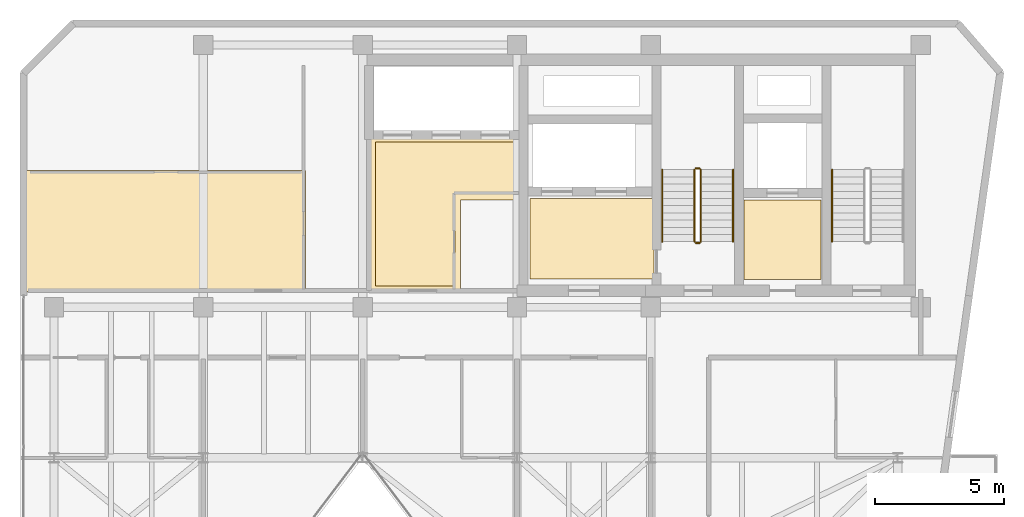
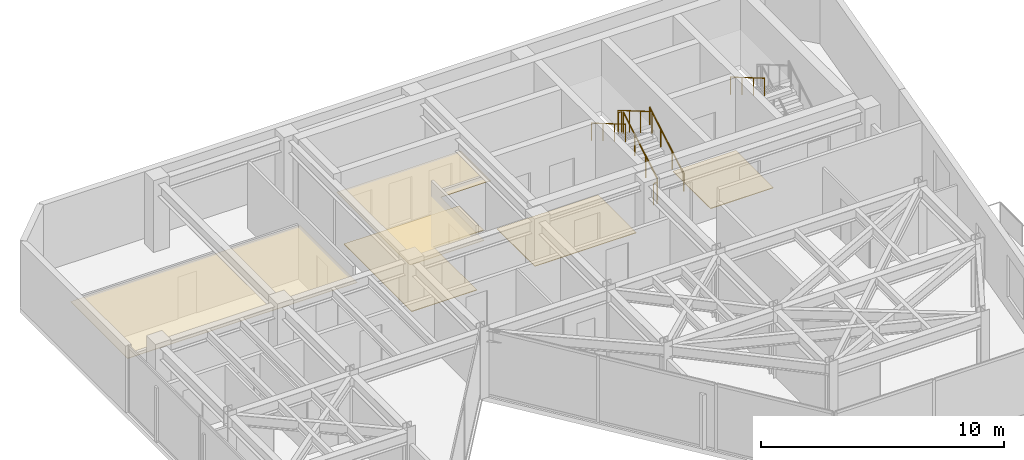
# One storey, part 16 of 17: 7 railings, 5 coverings.
"""IFC4 building model written with IfcOpenShell, lengths in metres."""

from ifc_helpers import new_model, si_unit, direction, frame, origin, origin_2d, place, context, subcontext, project, spatial, polyline, circle, outline, extrude, material, layer, layer_set, type_object, element, save


model = new_model("IFC4")

# Units and contexts
model_context = context("Model", 3, precision=1e-05, world=origin(), true_north=direction((0.0, 1.0)))
body_context = subcontext(model_context, "Body", "Model", "MODEL_VIEW")
ifc_project = project(units=[si_unit("LENGTHUNIT", "METRE"), si_unit("AREAUNIT", "SQUARE_METRE"), si_unit("VOLUMEUNIT", "CUBIC_METRE"), si_unit("PLANEANGLEUNIT", "RADIAN"), si_unit("MASSUNIT", "GRAM", prefix="KILO")], contexts=[model_context])

# Site, building, storey
site_placement = place(None, origin())
site = spatial("IfcSite", under=ifc_project, at=site_placement, CompositionType="ELEMENT")
building_placement = place(site_placement, origin())
building = spatial("IfcBuilding", under=site, at=building_placement, Name="Kravanh Interchange Tower", CompositionType="ELEMENT")
storey_placement = place(building_placement, frame((0.0, 0.0, 293.10009765625)))
storey = spatial("IfcBuildingStorey", under=building, at=storey_placement, Name="L72", CompositionType="ELEMENT", Elevation=293.10009765625)

# Coverings
ifc_material_1 = material(Name="Cementitious Terrazzo Tile")
ifc_layer_1 = layer(ifc_material_1, 0.030029296875)
ifc_layer_set_1 = layer_set([ifc_layer_1], Name="Honed Terrazzo Lobby Flooring 30mm")
covering_type_1 = type_object("IfcCoveringType", Name="Honed Terrazzo Lobby Flooring 30mm", PredefinedType="FLOORING", material=ifc_layer_set_1)
covering_1_placement = place(storey_placement, origin())
element("IfcCovering", 1, at=covering_1_placement, inside=storey, type_object=covering_type_1, Name="L72 Service Lift Lobby Floor Finish", PredefinedType="FLOORING", context=body_context, shape_type="SweptSolid", body=[
    extrude(outline(polyline([(59.6298828125, 41.52001953125), (62.6201171875, 41.52001953125), (62.6201171875, 38.429931640625), (59.6298828125, 38.429931640625), (59.6298828125, 41.52001953125)])), origin(), (0.0, 0.0, 1.0), 0.02978515625),
])
covering_2_placement = place(storey_placement, origin())
element("IfcCovering", 2, at=covering_2_placement, inside=storey, type_object=covering_type_1, Name="L72 Firefighting Lobby Floor Finish", PredefinedType="FLOORING", context=body_context, shape_type="SweptSolid", body=[
    extrude(outline(polyline([(56.1201171875, 38.4599609375), (51.300048828125, 38.4599609375), (51.300048828125, 41.580078125), (56.1201171875, 41.580078125), (56.1201171875, 38.4599609375)])), origin(), (0.0, 0.0, 1.0), 0.02978515625),
])
covering_3_placement = place(storey_placement, origin())
element("IfcCovering", 3, at=covering_3_placement, inside=storey, type_object=covering_type_1, Name="L72 High-Rise Lift Lobby Floor Finish", PredefinedType="FLOORING", context=body_context, shape_type="SweptSolid", body=[
    extrude(outline(polyline([(45.300048828125, 43.77001953125), (50.77001953125, 43.77001953125), (50.77001953125, 41.75), (48.389892578125, 41.75), (48.389892578125, 38.179931640625), (45.300048828125, 38.179931640625), (45.300048828125, 43.77001953125)])), origin(), (0.0, 0.0, 1.0), 0.02978515625),
])
ifc_material_2 = material(Name="Acoustic Mineral Fibre Tile on Aluminium Grid", Category="aluminium")
ifc_layer_2 = layer(ifc_material_2, 0.02490234375)
ifc_layer_set_2 = layer_set([ifc_layer_2], Name="Perforated Acoustic Mineral Ceiling 25mm")
covering_type_2 = type_object("IfcCoveringType", Name="Perforated Acoustic Mineral Ceiling 25mm", PredefinedType="CEILING", material=ifc_layer_set_2)
covering_4_placement = place(storey_placement, frame((0.0, 0.0, 2.5498046875)))
element("IfcCovering", 4, at=covering_4_placement, inside=storey, type_object=covering_type_2, Name="L72 High-Rise Lift Lobby Suspended Ceiling", PredefinedType="CEILING", context=body_context, shape_type="SweptSolid", body=[
    extrude(outline(polyline([(50.989990234375, 41.530029296875), (48.610107421875, 41.530029296875), (48.610107421875, 37.9599609375), (45.080078125, 37.9599609375), (45.080078125, 43.989990234375), (50.989990234375, 43.989990234375), (50.989990234375, 41.530029296875)])), origin(), (0.0, 0.0, 1.0), 0.025146484375),
])
covering_5_placement = place(storey_placement, frame((0.0, 0.0, 2.5498046875)))
element("IfcCovering", 5, at=covering_5_placement, inside=storey, type_object=covering_type_2, Name="L72 Executive Business Study Suspended Ceiling", PredefinedType="CEILING", context=body_context, shape_type="SweptSolid", body=[
    extrude(outline(polyline([(42.580078125, 37.9599609375), (31.679931640625, 37.9599609375), (31.679931640625, 42.659912109375), (42.580078125, 42.659912109375), (42.580078125, 37.9599609375)])), origin(), (0.0, 0.0, 1.0), 0.025146484375),
])

# Railings
ifc_material_3 = material(Name="Structural Steel S355", Category="steel")
ifc_layer_3 = layer(ifc_material_3, 0.050048828125)
ifc_layer_set_3 = layer_set([ifc_layer_3], Name="Stair Well Guardrail Structural Steel S355 1100mm")
railing_type_1 = type_object("IfcRailingType", Name="Stair Well Guardrail Structural Steel S355 1100mm", PredefinedType="GUARDRAIL", material=ifc_layer_set_3)
railing_1_placement = place(storey_placement, frame((57.949951171875, 39.89990234375, 0.16357421875)))
element("IfcRailing", 6, at=railing_1_placement, inside=storey, type_object=railing_type_1, Name="L72 ST2 stair guard 1", PredefinedType="GUARDRAIL", context=body_context, shape_type="SweptSolid", body=[
    extrude(circle(Radius=0.02392578125, at=origin_2d()), frame((0.0, 0.0, 1.076171875), z_axis=(0.0, 0.863393664356, 0.504530851732), x_axis=(-1.0, 0.0, 0.0)), (0.0, 0.0, 1.0), 3.2431640625),
    extrude(circle(Radius=0.02099609375, at=origin_2d()), origin(), (0.0, 0.0, 1.0), 1.052001953125),
    extrude(circle(Radius=0.02099609375, at=origin_2d()), frame((0.0, 0.933349609375, 0.54541015625)), (0.0, 0.0, 1.0), 1.052001953125),
    extrude(circle(Radius=0.02099609375, at=origin_2d()), frame((0.0, 1.86669921875, 1.0908203125)), (0.0, 0.0, 1.0), 1.052001953125),
    extrude(circle(Radius=0.02099609375, at=origin_2d()), frame((0.0, 2.800048828125, 1.63623046875)), (0.0, 0.0, 1.0), 1.052001953125),
])
railing_2_placement = place(storey_placement, frame((57.89990234375, 42.75, 1.7998046875)))
element("IfcRailing", 7, at=railing_2_placement, inside=storey, type_object=railing_type_1, Name="L72 ST2 stair guard 2", PredefinedType="GUARDRAIL", context=body_context, shape_type="SweptSolid", body=[
    extrude(circle(Radius=0.02392578125, at=origin_2d()), frame((0.0, 0.0, 1.076171875), z_axis=(-1.0, 0.0, 0.0), x_axis=(0.0, -1.0, 0.0)), (0.0, 0.0, 1.0), 0.14990234375),
    extrude(circle(Radius=0.02099609375, at=origin_2d()), origin(), (0.0, 0.0, 1.0), 1.052001953125),
    extrude(circle(Radius=0.02099609375, at=origin_2d()), frame((-0.14990234375, 0.0, 0.0)), (0.0, 0.0, 1.0), 1.052001953125),
])
railing_3_placement = place(storey_placement, frame((57.699951171875, 42.699951171875, 1.963623046875)))
element("IfcRailing", 8, at=railing_3_placement, inside=storey, type_object=railing_type_1, Name="L72 ST2 stair guard 3", PredefinedType="GUARDRAIL", context=body_context, shape_type="SweptSolid", body=[
    extrude(circle(Radius=0.02392578125, at=origin_2d()), frame((0.0, 0.0, 1.076171875), z_axis=(0.0, -0.863393664356, 0.504530851732), x_axis=(1.0, 0.0, 0.0)), (0.0, 0.0, 1.0), 3.2431640625),
    extrude(circle(Radius=0.02099609375, at=origin_2d()), origin(), (0.0, 0.0, 1.0), 1.052001953125),
    extrude(circle(Radius=0.02099609375, at=origin_2d()), frame((0.0, -0.933349609375, 0.54541015625)), (0.0, 0.0, 1.0), 1.052001953125),
    extrude(circle(Radius=0.02099609375, at=origin_2d()), frame((0.0, -1.86669921875, 1.0908203125)), (0.0, 0.0, 1.0), 1.052001953125),
    extrude(circle(Radius=0.02099609375, at=origin_2d()), frame((0.0, -2.800048828125, 1.63623046875)), (0.0, 0.0, 1.0), 1.052001953125),
])
railing_4_placement = place(storey_placement, frame((57.89990234375, 39.85009765625, 0.0)))
element("IfcRailing", 9, at=railing_4_placement, inside=storey, type_object=railing_type_1, Name="L72 ST2 stair guard 4", PredefinedType="GUARDRAIL", context=body_context, shape_type="SweptSolid", body=[
    extrude(circle(Radius=0.02392578125, at=origin_2d()), frame((0.0, 0.0, 1.076171875), z_axis=(-1.0, 0.0, 0.0), x_axis=(0.0, -1.0, 0.0)), (0.0, 0.0, 1.0), 0.14990234375),
    extrude(circle(Radius=0.02099609375, at=origin_2d()), origin(), (0.0, 0.0, 1.0), 1.052001953125),
    extrude(circle(Radius=0.02099609375, at=origin_2d()), frame((-0.14990234375, 0.0, 0.0)), (0.0, 0.0, 1.0), 1.052001953125),
])
ifc_material_4 = material(Name="Stainless Steel 304", Category="steel")
ifc_layer_4 = layer(ifc_material_4, 0.044921875)
ifc_layer_set_4 = layer_set([ifc_layer_4], Name="Tubular Stair Handrail Stainless 304 900mm")
railing_type_2 = type_object("IfcRailingType", Name="Tubular Stair Handrail Stainless 304 900mm", PredefinedType="HANDRAIL", material=ifc_layer_set_4)
railing_5_placement = place(storey_placement, frame((63.050048828125, 42.699951171875, 1.963623046875)))
element("IfcRailing", 10, at=railing_5_placement, inside=storey, type_object=railing_type_2, Name="L72 ST1 stair handrail 2", PredefinedType="HANDRAIL", context=body_context, shape_type="SweptSolid", body=[
    extrude(circle(Radius=0.02392578125, at=origin_2d()), frame((0.0, 0.0, 0.8759765625), z_axis=(0.0, -0.863393664356, 0.504530851732), x_axis=(1.0, 0.0, 0.0)), (0.0, 0.0, 1.0), 3.2431640625),
    extrude(circle(Radius=0.02099609375, at=origin_2d()), origin(), (0.0, 0.0, 1.0), 0.851806640625),
    extrude(circle(Radius=0.02099609375, at=origin_2d()), frame((0.0, -0.933349609375, 0.54541015625)), (0.0, 0.0, 1.0), 0.851806640625),
    extrude(circle(Radius=0.02099609375, at=origin_2d()), frame((0.0, -1.86669921875, 1.0908203125)), (0.0, 0.0, 1.0), 0.851806640625),
    extrude(circle(Radius=0.02099609375, at=origin_2d()), frame((0.0, -2.800048828125, 1.63623046875)), (0.0, 0.0, 1.0), 0.851806640625),
])
railing_6_placement = place(storey_placement, frame((59.199951171875, 39.89990234375, 0.16357421875)))
element("IfcRailing", 11, at=railing_6_placement, inside=storey, type_object=railing_type_2, Name="L72 ST2 stair handrail 1", PredefinedType="HANDRAIL", context=body_context, shape_type="SweptSolid", body=[
    extrude(circle(Radius=0.02392578125, at=origin_2d()), frame((0.0, 0.0, 0.8759765625), z_axis=(0.0, 0.863393664356, 0.504530851732), x_axis=(-1.0, 0.0, 0.0)), (0.0, 0.0, 1.0), 3.2431640625),
    extrude(circle(Radius=0.02099609375, at=origin_2d()), origin(), (0.0, 0.0, 1.0), 0.851806640625),
    extrude(circle(Radius=0.02099609375, at=origin_2d()), frame((0.0, 0.933349609375, 0.54541015625)), (0.0, 0.0, 1.0), 0.851806640625),
    extrude(circle(Radius=0.02099609375, at=origin_2d()), frame((0.0, 1.86669921875, 1.0908203125)), (0.0, 0.0, 1.0), 0.851806640625),
    extrude(circle(Radius=0.02099609375, at=origin_2d()), frame((0.0, 2.800048828125, 1.63623046875)), (0.0, 0.0, 1.0), 0.851806640625),
])
railing_7_placement = place(storey_placement, frame((56.449951171875, 42.699951171875, 1.963623046875)))
element("IfcRailing", 12, at=railing_7_placement, inside=storey, type_object=railing_type_2, Name="L72 ST2 stair handrail 2", PredefinedType="HANDRAIL", context=body_context, shape_type="SweptSolid", body=[
    extrude(circle(Radius=0.02392578125, at=origin_2d()), frame((0.0, 0.0, 0.8759765625), z_axis=(0.0, -0.863393664356, 0.504530851732), x_axis=(1.0, 0.0, 0.0)), (0.0, 0.0, 1.0), 3.2431640625),
    extrude(circle(Radius=0.02099609375, at=origin_2d()), origin(), (0.0, 0.0, 1.0), 0.851806640625),
    extrude(circle(Radius=0.02099609375, at=origin_2d()), frame((0.0, -0.933349609375, 0.54541015625)), (0.0, 0.0, 1.0), 0.851806640625),
    extrude(circle(Radius=0.02099609375, at=origin_2d()), frame((0.0, -1.86669921875, 1.0908203125)), (0.0, 0.0, 1.0), 0.851806640625),
    extrude(circle(Radius=0.02099609375, at=origin_2d()), frame((0.0, -2.800048828125, 1.63623046875)), (0.0, 0.0, 1.0), 0.851806640625),
])

save(model, "model.ifc")
